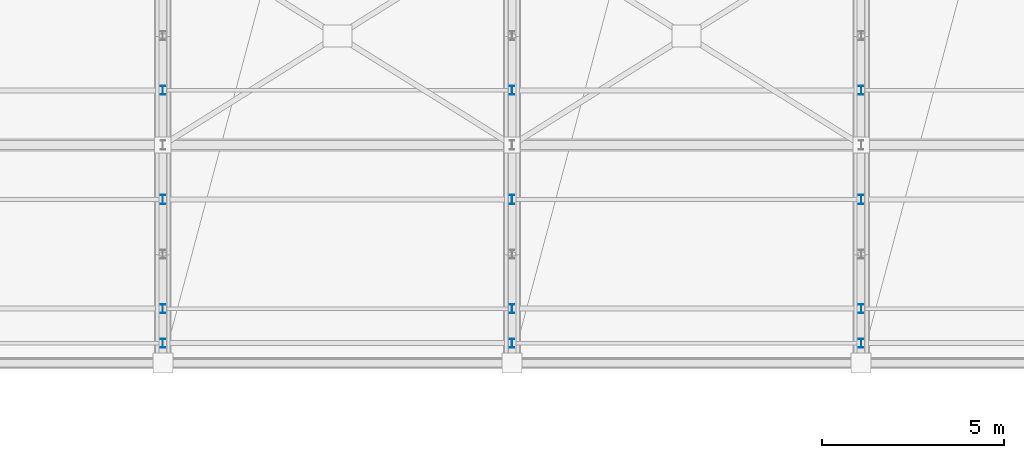
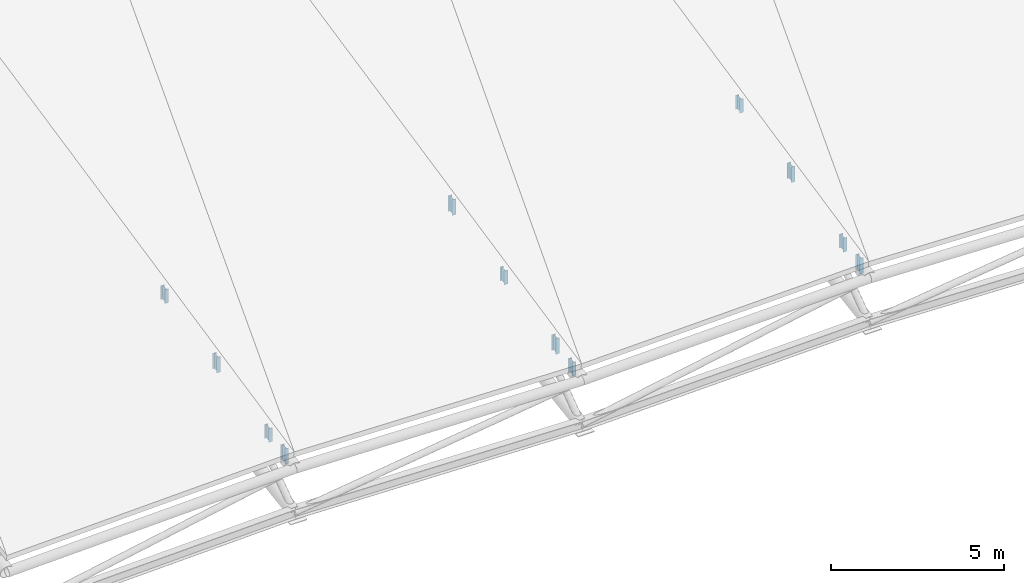
# One storey, part 81 of 109: 12 members.
"""IFC4 building model written with IfcOpenShell, lengths in metres."""

import ifcopenshell
import ifcopenshell.guid

model = None  # the IFC model being written
_history = None  # IfcOwnerHistory: only IFC2X3 demands one
_inside = {}  # id of a spatial element -> (the spatial element, [elements in it])
_under = {}  # id of a project, library or spatial element -> (it, [spatial elements below it])
_declared = {}  # id of a project -> (the project, [libraries it declares])
_typed = {}  # id of a type object -> (the type object, [elements of that type])
_made_of = {}  # id of a material, layer set ... -> (it, [elements and type objects made of it])


def new_model(schema):
    """Start an empty IFC model of exactly this schema.

    Asked for "IFC4X3", IfcOpenShell would pick the latest addendum, in which some entities
    have other attributes; the version numbers below select the first issue.
    IFC2X3 requires an IfcOwnerHistory on every rooted entity: one is made here for all.
    """
    global model, _history
    if schema == "IFC4X3":
        model = ifcopenshell.file(schema_version=(4, 3, 0, 0))
    else:
        model = ifcopenshell.file(schema=schema)
    _inside.clear()
    _under.clear()
    _declared.clear()
    _typed.clear()
    _made_of.clear()
    _history = None
    if model.schema == "IFC2X3":
        org = make("IfcOrganization", Name="unknown")
        user = make(
            "IfcPersonAndOrganization",
            ThePerson=make("IfcPerson", FamilyName="unknown"),
            TheOrganization=org,
        )
        app = make(
            "IfcApplication",
            ApplicationDeveloper=org,
            Version="unknown",
            ApplicationFullName="unknown",
            ApplicationIdentifier="unknown",
        )
        _history = make(
            "IfcOwnerHistory",
            OwningUser=user,
            OwningApplication=app,
            ChangeAction="ADDED",
            CreationDate=0,
        )
    return model


def make(cls, **values):
    """One entity of the class cls with the attributes given. An attribute that is None is left unset."""
    return model.create_entity(
        cls, **{name: value for name, value in values.items() if value is not None}
    )


def rooted(cls, **values):
    """An entity with a GlobalId (a new one), such as an element, a storey or a relation."""
    return make(cls, GlobalId=ifcopenshell.guid.new(), OwnerHistory=_history, **values)


def si_unit(unit_type, name, prefix=None):
    """IfcSIUnit, for example si_unit("LENGTHUNIT", "METRE", prefix="MILLI")."""
    return make("IfcSIUnit", UnitType=unit_type, Prefix=prefix, Name=name)


def assignment(units):
    """IfcUnitAssignment: the units of a project."""
    return None if units is None else make("IfcUnitAssignment", Units=units)


def point(xyz):
    """IfcCartesianPoint."""
    return None if xyz is None else make("IfcCartesianPoint", Coordinates=xyz)


def direction(xyz):
    """IfcDirection."""
    return None if xyz is None else make("IfcDirection", DirectionRatios=xyz)


def frame(location, z_axis=None, x_axis=None):
    """IfcAxis2Placement3D, a coordinate frame: its origin and axes. An axis left out is left unset."""
    return make(
        "IfcAxis2Placement3D",
        Location=point(location),
        Axis=direction(z_axis),
        RefDirection=direction(x_axis),
    )


def frame_2d(location, x_axis=None):
    """IfcAxis2Placement2D, a coordinate frame in the plane: its origin and x axis."""
    return make(
        "IfcAxis2Placement2D", Location=point(location), RefDirection=direction(x_axis)
    )


def origin():
    """The frame at (0, 0, 0) with its axes left unset."""
    return frame((0.0, 0.0, 0.0))


def origin_2d():
    """The frame at (0, 0) in the plane with its x axis left unset."""
    return frame_2d((0.0, 0.0))


def place(relative_to, where):
    """IfcLocalPlacement: puts the frame where relative to a parent placement (None: the world)."""
    return make(
        "IfcLocalPlacement", PlacementRelTo=relative_to, RelativePlacement=where
    )


def context(
    kind, dimensions, precision=None, world=None, true_north=None, identifier=None
):
    """IfcGeometricRepresentationContext, for example the 3D "Model" context."""
    return make(
        "IfcGeometricRepresentationContext",
        ContextIdentifier=identifier,
        ContextType=kind,
        CoordinateSpaceDimension=dimensions,
        Precision=precision,
        WorldCoordinateSystem=world,
        TrueNorth=true_north,
    )


def subcontext(parent, identifier, kind, view, scale=None):
    """IfcGeometricRepresentationSubContext, for example "Body" below "Model"."""
    return make(
        "IfcGeometricRepresentationSubContext",
        ContextIdentifier=identifier,
        ContextType=kind,
        ParentContext=parent,
        TargetScale=scale,
        TargetView=view,
    )


def project(units=None, contexts=None):
    """IfcProject with its units and contexts."""
    return rooted(
        "IfcProject",
        Name="project",
        RepresentationContexts=contexts,
        UnitsInContext=assignment(units),
    )


def spatial(cls, under=None, at=None, **own):
    """A site, building, storey or space (cls), placed at a placement, below another one or the project."""
    s = rooted(cls, ObjectPlacement=at, **own)
    if under is not None:
        _under.setdefault(under.id(), (under, []))[1].append(s)
    return s


def profile(cls, at=None, kind="AREA", **sizes):
    """A parametric profile (cls). Its sizes go by their IFC names, for example OverallWidth=200.0."""
    return make(cls, ProfileType=kind, Position=at, **sizes)


def i_section(**sizes):
    """IfcIShapeProfileDef."""
    return profile("IfcIShapeProfileDef", **sizes)


def extrude(swept, where, along, depth):
    """IfcExtrudedAreaSolid: the profile swept, set in the frame where, extruded along a direction by depth."""
    return make(
        "IfcExtrudedAreaSolid",
        SweptArea=swept,
        Position=where,
        ExtrudedDirection=direction(along),
        Depth=depth,
    )


def shape(context_of_items, identifier, shape_type, items):
    """IfcShapeRepresentation: the items that make up one representation, for example the "Body"."""
    return make(
        "IfcShapeRepresentation",
        ContextOfItems=context_of_items,
        RepresentationIdentifier=identifier,
        RepresentationType=shape_type,
        Items=items,
    )


def material(Name=None, Category=None):
    """IfcMaterial."""
    return make("IfcMaterial", Name=Name, Category=Category)


def material_profile(
    of_material, cross_section, Name=None, Category=None, Priority=None
):
    """IfcMaterialProfile: a cross section and its material."""
    return make(
        "IfcMaterialProfile",
        Name=Name,
        Material=of_material,
        Profile=cross_section,
        Priority=Priority,
        Category=Category,
    )


def profile_set(profiles, Name=None, composite=None):
    """IfcMaterialProfileSet."""
    return make(
        "IfcMaterialProfileSet",
        Name=Name,
        MaterialProfiles=profiles,
        CompositeProfile=composite,
    )


def made_of(thing, what):
    """Note that an element or type object is made of a material, layer set ...; save() writes the relation."""
    if what is not None:
        _made_of.setdefault(what.id(), (what, []))[1].append(thing)
    return thing


def type_object(cls, material=None, **own):
    """A type object (cls), such as IfcWallType, which elements share."""
    return made_of(rooted(cls, **own), material)


def element(
    cls,
    number,
    at=None,
    inside=None,
    cuts=None,
    type_object=None,
    material=None,
    context=None,
    identifier="Body",
    shape_type=None,
    held_by="IfcProductDefinitionShape",
    body=None,
    shapes=None,
    **own,
):
    """One element of the class cls, such as IfcWall. Its Tag is "e" and its number.

    at: its placement. inside: the storey or other place that contains it. cuts: it is an
    opening in that element (IfcRelVoidsElement). A single representation is given by context,
    identifier, shape_type and body (its items); several are given by shapes. held_by: the class
    of the entity that holds the representations. save() writes the other relations.
    """
    e = rooted(cls, Tag="e%d" % number, ObjectPlacement=at, **own)
    if body is not None:
        shapes = [shape(context, identifier, shape_type, body)]
    if shapes is not None:
        e.Representation = make(held_by, Representations=shapes)
    if inside is not None:
        _inside.setdefault(inside.id(), (inside, []))[1].append(e)
    if cuts is not None:
        rooted(
            "IfcRelVoidsElement", RelatingBuildingElement=cuts, RelatedOpeningElement=e
        )
    if type_object is not None:
        _typed.setdefault(type_object.id(), (type_object, []))[1].append(e)
    return made_of(e, material)


def aggregate(whole, parts):
    """IfcRelAggregates: a whole, such as a stair, and the parts it consists of."""
    return rooted("IfcRelAggregates", RelatingObject=whole, RelatedObjects=parts)


def save(model, path):
    """Write the relations noted so far, then the file.

    IfcRelAggregates (storeys below a building ...), IfcRelContainedInSpatialStructure (elements
    in a storey), IfcRelDefinesByType, IfcRelAssociatesMaterial and IfcRelDeclares: one each for
    every whole, place, type object, material and project.
    """
    for whole, parts in _under.values():
        aggregate(whole, parts)
    for where, things in _inside.values():
        rooted(
            "IfcRelContainedInSpatialStructure",
            RelatedElements=things,
            RelatingStructure=where,
        )
    for kind, things in _typed.values():
        rooted("IfcRelDefinesByType", RelatedObjects=things, RelatingType=kind)
    for what, things in _made_of.values():
        rooted("IfcRelAssociatesMaterial", RelatedObjects=things, RelatingMaterial=what)
    for by, libraries in _declared.values():
        rooted("IfcRelDeclares", RelatingContext=by, RelatedDefinitions=libraries)
    model.write(path)


model = new_model("IFC4")

# Units and contexts
model_context = context("Model", 3, precision=1e-05, world=origin(), true_north=direction((0.0, 1.0)))
body_context = subcontext(model_context, "Body", "Model", "MODEL_VIEW")
ifc_project = project(units=[si_unit("LENGTHUNIT", "METRE"), si_unit("AREAUNIT", "SQUARE_METRE"), si_unit("VOLUMEUNIT", "CUBIC_METRE"), si_unit("PLANEANGLEUNIT", "RADIAN"), si_unit("MASSUNIT", "GRAM", prefix="KILO")], contexts=[model_context])

# Site, building, storey
site_placement = place(None, origin())
site = spatial("IfcSite", under=ifc_project, at=site_placement, CompositionType="ELEMENT")
building_placement = place(site_placement, origin())
building = spatial("IfcBuilding", under=site, at=building_placement, Name="Suirenkawa Promenade Aquatics Centre", CompositionType="ELEMENT")
storey_placement = place(building_placement, frame((0.0, 0.0, 22.800048828125)))
storey = spatial("IfcBuildingStorey", under=building, at=storey_placement, Name="ROOF", CompositionType="ELEMENT", Elevation=22.800048828125)

# Members
ifc_material = material(Name="Steel IS 2062 E350 (Grade 350)", Category="steel")
ifc_material_profile = material_profile(ifc_material, i_section(OverallWidth=0.125, OverallDepth=0.25, WebThickness=0.007080078125, FlangeThickness=0.012939453125, at=origin_2d()), Name="ISMB 250", Category="steel")
ifc_profile_set = profile_set([ifc_material_profile], Name="Steel IS 2062 E350 (Grade 350)")
member_type = type_object("IfcMemberType", Name="MT-WEB-CHS168", PredefinedType="BRACE", material=ifc_profile_set)
member_1_placement = place(storey_placement, frame((165.60009765625, 50.949951171875, -8.884033203125), z_axis=(0.0, 0.0, 1.0), x_axis=(1.0, 0.0, 0.0)))
element("IfcMember", 1, at=member_1_placement, inside=storey, type_object=member_type, Name="ROOF TRUSS Purlin cleat post TD-03 MB-2409", PredefinedType="BRACE", context=body_context, shape_type="SweptSolid", body=[
    extrude(i_section(OverallWidth=0.125, OverallDepth=0.25, WebThickness=0.007080078125, FlangeThickness=0.012939453125, at=origin_2d()), origin(), (0.0, 0.0, 1.0), 0.551025390625),
])
member_2_placement = place(storey_placement, frame((165.60009765625, 51.89990234375, -8.68310546875), z_axis=(0.0, 0.0, 1.0), x_axis=(1.0, 0.0, 0.0)))
element("IfcMember", 2, at=member_2_placement, inside=storey, type_object=member_type, Name="ROOF TRUSS Purlin cleat post TD-03 MB-2412", PredefinedType="BRACE", context=body_context, shape_type="SweptSolid", body=[
    extrude(i_section(OverallWidth=0.125, OverallDepth=0.25, WebThickness=0.007080078125, FlangeThickness=0.012939453125, at=origin_2d()), origin(), (0.0, 0.0, 1.0), 0.486083984375),
])
member_3_placement = place(storey_placement, frame((165.60009765625, 54.89990234375, -8.050048828125), z_axis=(0.0, 0.0, 1.0), x_axis=(1.0, 0.0, 0.0)))
element("IfcMember", 3, at=member_3_placement, inside=storey, type_object=member_type, Name="ROOF TRUSS Purlin cleat post TD-03 MB-2415", PredefinedType="BRACE", context=body_context, shape_type="SweptSolid", body=[
    extrude(i_section(OverallWidth=0.125, OverallDepth=0.25, WebThickness=0.007080078125, FlangeThickness=0.012939453125, at=origin_2d()), origin(), (0.0, 0.0, 1.0), 0.551025390625),
])
member_4_placement = place(storey_placement, frame((165.60009765625, 57.89990234375, -7.4169921875), z_axis=(0.0, 0.0, 1.0), x_axis=(1.0, 0.0, 0.0)))
element("IfcMember", 4, at=member_4_placement, inside=storey, type_object=member_type, Name="ROOF TRUSS Purlin cleat post TD-03 MB-2418", PredefinedType="BRACE", context=body_context, shape_type="SweptSolid", body=[
    extrude(i_section(OverallWidth=0.125, OverallDepth=0.25, WebThickness=0.007080078125, FlangeThickness=0.012939453125, at=origin_2d()), origin(), (0.0, 0.0, 1.0), 0.487060546875),
])
member_5_placement = place(storey_placement, frame((175.199951171875, 50.949951171875, -9.134033203125), z_axis=(0.0, 0.0, 1.0), x_axis=(1.0, 0.0, 0.0)))
element("IfcMember", 5, at=member_5_placement, inside=storey, type_object=member_type, Name="ROOF TRUSS Purlin cleat post TD-03 MB-2474", PredefinedType="BRACE", context=body_context, shape_type="SweptSolid", body=[
    extrude(i_section(OverallWidth=0.125, OverallDepth=0.25, WebThickness=0.007080078125, FlangeThickness=0.012939453125, at=origin_2d()), origin(), (0.0, 0.0, 1.0), 0.486083984375),
])
member_6_placement = place(storey_placement, frame((175.199951171875, 51.89990234375, -8.93310546875), z_axis=(0.0, 0.0, 1.0), x_axis=(1.0, 0.0, 0.0)))
element("IfcMember", 6, at=member_6_placement, inside=storey, type_object=member_type, Name="ROOF TRUSS Purlin cleat post TD-03 MB-2476", PredefinedType="BRACE", context=body_context, shape_type="SweptSolid", body=[
    extrude(i_section(OverallWidth=0.125, OverallDepth=0.25, WebThickness=0.007080078125, FlangeThickness=0.012939453125, at=origin_2d()), origin(), (0.0, 0.0, 1.0), 0.550048828125),
])
member_7_placement = place(storey_placement, frame((175.199951171875, 54.89990234375, -8.300048828125), z_axis=(0.0, 0.0, 1.0), x_axis=(1.0, 0.0, 0.0)))
element("IfcMember", 7, at=member_7_placement, inside=storey, type_object=member_type, Name="ROOF TRUSS Purlin cleat post TD-03 MB-2478", PredefinedType="BRACE", context=body_context, shape_type="SweptSolid", body=[
    extrude(i_section(OverallWidth=0.125, OverallDepth=0.25, WebThickness=0.007080078125, FlangeThickness=0.012939453125, at=origin_2d()), origin(), (0.0, 0.0, 1.0), 0.486083984375),
])
for number, where, z_axis, x_axis, name in (
    (8, (175.199951171875, 57.89990234375, -7.6669921875), (0.0, 0.0, 1.0), (1.0, 0.0, 0.0), "ROOF TRUSS Purlin cleat post TD-03 MB-2480"),
    (9, (184.800048828125, 50.949951171875, -8.884033203125), (0.0, 0.0, 1.0), (1.0, 0.0, 0.0), "ROOF TRUSS Purlin cleat post TD-03 MB-2518"),
):
    element("IfcMember", number, at=place(storey_placement, frame(where, z_axis=z_axis, x_axis=x_axis)), inside=storey, type_object=member_type, Name=name, PredefinedType="BRACE", context=body_context, shape_type="SweptSolid", body=[
        extrude(i_section(OverallWidth=0.125, OverallDepth=0.25, WebThickness=0.007080078125, FlangeThickness=0.012939453125, at=origin_2d()), origin(), (0.0, 0.0, 1.0), 0.551025390625),
    ])
member_8_placement = place(storey_placement, frame((184.800048828125, 51.89990234375, -8.68310546875), z_axis=(0.0, 0.0, 1.0), x_axis=(1.0, 0.0, 0.0)))
element("IfcMember", 10, at=member_8_placement, inside=storey, type_object=member_type, Name="ROOF TRUSS Purlin cleat post TD-03 MB-2520", PredefinedType="BRACE", context=body_context, shape_type="SweptSolid", body=[
    extrude(i_section(OverallWidth=0.125, OverallDepth=0.25, WebThickness=0.007080078125, FlangeThickness=0.012939453125, at=origin_2d()), origin(), (0.0, 0.0, 1.0), 0.486083984375),
])
member_9_placement = place(storey_placement, frame((184.800048828125, 54.89990234375, -8.050048828125), z_axis=(0.0, 0.0, 1.0), x_axis=(1.0, 0.0, 0.0)))
element("IfcMember", 11, at=member_9_placement, inside=storey, type_object=member_type, Name="ROOF TRUSS Purlin cleat post TD-03 MB-2522", PredefinedType="BRACE", context=body_context, shape_type="SweptSolid", body=[
    extrude(i_section(OverallWidth=0.125, OverallDepth=0.25, WebThickness=0.007080078125, FlangeThickness=0.012939453125, at=origin_2d()), origin(), (0.0, 0.0, 1.0), 0.551025390625),
])
member_10_placement = place(storey_placement, frame((184.800048828125, 57.89990234375, -7.4169921875), z_axis=(0.0, 0.0, 1.0), x_axis=(1.0, 0.0, 0.0)))
element("IfcMember", 12, at=member_10_placement, inside=storey, type_object=member_type, Name="ROOF TRUSS Purlin cleat post TD-03 MB-2524", PredefinedType="BRACE", context=body_context, shape_type="SweptSolid", body=[
    extrude(i_section(OverallWidth=0.125, OverallDepth=0.25, WebThickness=0.007080078125, FlangeThickness=0.012939453125, at=origin_2d()), origin(), (0.0, 0.0, 1.0), 0.487060546875),
])

save(model, "model.ifc")
